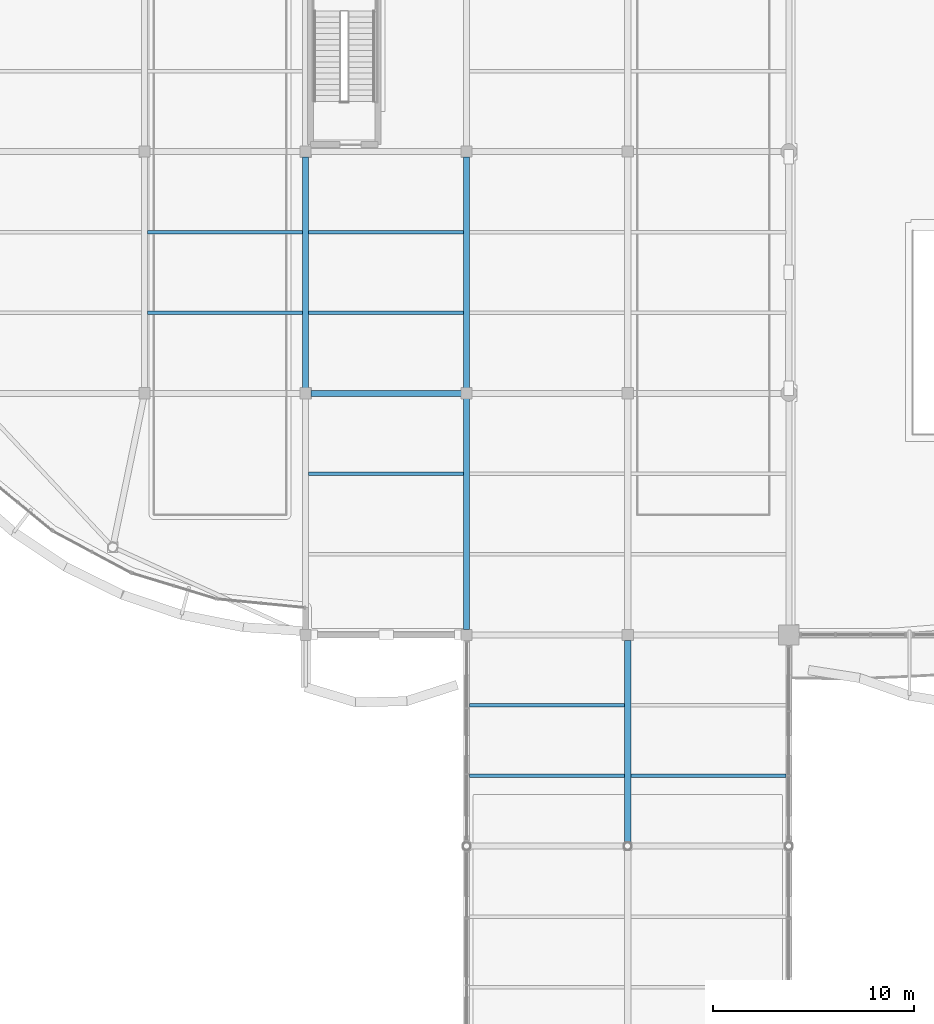
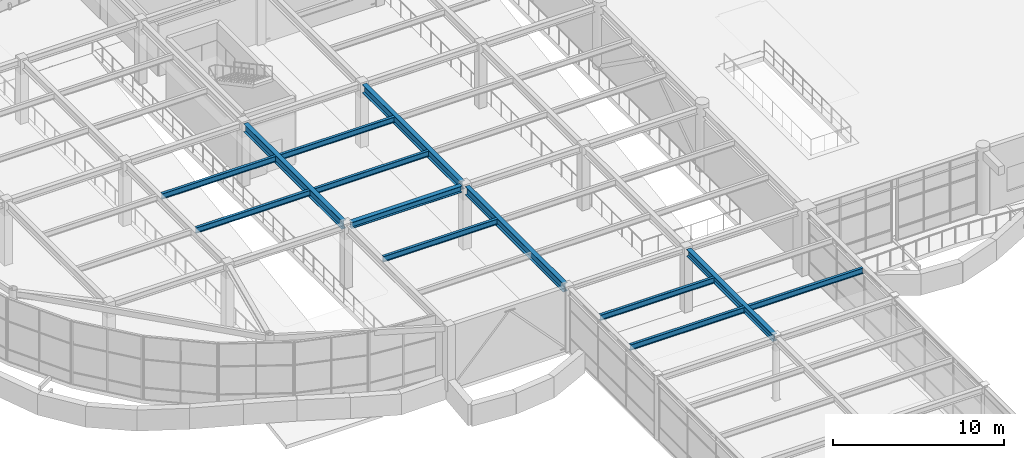
# One storey, part 13 of 72: 13 beams.
"""IFC4 building model written with IfcOpenShell, lengths in metres."""

from ifc_helpers import new_model, si_unit, direction, frame, origin, origin_2d, place, context, subcontext, project, spatial, i_section, extrude, material, material_profile, profile_set, type_object, element, save


model = new_model("IFC4")

# Units and contexts
model_context = context("Model", 3, precision=1e-05, world=origin(), true_north=direction((0.0, 1.0)))
body_context = subcontext(model_context, "Body", "Model", "MODEL_VIEW")
ifc_project = project(units=[si_unit("LENGTHUNIT", "METRE"), si_unit("AREAUNIT", "SQUARE_METRE"), si_unit("VOLUMEUNIT", "CUBIC_METRE"), si_unit("PLANEANGLEUNIT", "RADIAN"), si_unit("MASSUNIT", "GRAM", prefix="KILO")], contexts=[model_context])

# Site, building, storey
site_placement = place(None, origin())
site = spatial("IfcSite", under=ifc_project, at=site_placement, CompositionType="ELEMENT")
building_placement = place(site_placement, origin())
building = spatial("IfcBuilding", under=site, at=building_placement, Name="Keelwater Ferry Terminal", CompositionType="ELEMENT")
storey_placement = place(building_placement, frame((0.0, 0.0, 5.39990234375)))
storey = spatial("IfcBuildingStorey", under=building, at=storey_placement, Name="L01", CompositionType="ELEMENT", Elevation=5.39990234375)

# Beams
ifc_material_1 = material(Name="Steel S355", Category="steel")
ifc_material_profile_1 = material_profile(ifc_material_1, i_section(OverallWidth=0.300048828125, OverallDepth=0.60009765625, WebThickness=0.015380859375, FlangeThickness=0.030029296875, at=origin_2d()), Name="HEB 600")
ifc_profile_set_1 = profile_set([ifc_material_profile_1], Name="Steel S355")
beam_type_1 = type_object("IfcBeamType", Name="G3 HEB 600", PredefinedType="BEAM", material=ifc_profile_set_1)
beam_1_placement = place(storey_placement, frame((24.0, 54.27001953125, 4.22021484375), z_axis=(0.0, 1.0, 0.0), x_axis=(-1.0, 0.0, 0.0)))
element("IfcBeam", 1, at=beam_1_placement, inside=storey, type_object=beam_type_1, Name="Beam BM-L01-0716", PredefinedType="BEAM", context=body_context, shape_type="SweptSolid", body=[
    extrude(i_section(OverallWidth=0.300048828125, OverallDepth=0.60009765625, WebThickness=0.015380859375, FlangeThickness=0.030029296875, at=origin_2d()), origin(), (0.0, 0.0, 1.0), 11.4599609375),
])
ifc_material_2 = material(Name="Steel S355", Category="steel")
ifc_material_profile_2 = material_profile(ifc_material_2, i_section(OverallWidth=0.300048828125, OverallDepth=0.60009765625, WebThickness=0.015380859375, FlangeThickness=0.030029296875, at=origin_2d()), Name="HEB 600")
ifc_profile_set_2 = profile_set([ifc_material_profile_2], Name="Steel S355")
beam_type_2 = type_object("IfcBeamType", Name="G3E HEB 600", PredefinedType="BEAM", material=ifc_profile_set_2)
for number, where, z_axis, x_axis, name in (
    (2, (32.0, 42.27001953125, 4.22021484375), (0.0, 1.0, 0.0), (-1.0, 0.0, 0.0), "Beam BM-L01-0723"),
    (3, (32.0, 54.27001953125, 4.22021484375), (0.0, 1.0, 0.0), (-1.0, 0.0, 0.0), "Beam BM-L01-0724"),
):
    element("IfcBeam", number, at=place(storey_placement, frame(where, z_axis=z_axis, x_axis=x_axis)), inside=storey, type_object=beam_type_2, Name=name, PredefinedType="BEAM", context=body_context, shape_type="SweptSolid", body=[
        extrude(i_section(OverallWidth=0.300048828125, OverallDepth=0.60009765625, WebThickness=0.015380859375, FlangeThickness=0.030029296875, at=origin_2d()), origin(), (0.0, 0.0, 1.0), 11.4599609375),
    ])
ifc_material_3 = material(Name="Steel S355", Category="steel")
ifc_material_profile_3 = material_profile(ifc_material_3, i_section(OverallWidth=0.300048828125, OverallDepth=0.5, WebThickness=0.014404296875, FlangeThickness=0.028076171875, at=origin_2d()), Name="HEB 500")
ifc_profile_set_3 = profile_set([ifc_material_profile_3], Name="Steel S355")
beam_type_3 = type_object("IfcBeamType", Name="G5 HEB 500", PredefinedType="BEAM", material=ifc_profile_set_3)
beam_2_placement = place(storey_placement, frame((40.0, 31.6669921875, 4.27001953125), z_axis=(0.0, 1.0, 0.0), x_axis=(-1.0, 0.0, 0.0)))
element("IfcBeam", 4, at=beam_2_placement, inside=storey, type_object=beam_type_3, Name="Beam BM-L01-0730", PredefinedType="BEAM", context=body_context, shape_type="SweptSolid", body=[
    extrude(i_section(OverallWidth=0.300048828125, OverallDepth=0.5, WebThickness=0.014404296875, FlangeThickness=0.028076171875, at=origin_2d()), origin(), (0.0, 0.0, 1.0), 10.06298828125),
])
ifc_material_4 = material(Name="Steel S355", Category="steel")
ifc_material_profile_4 = material_profile(ifc_material_4, i_section(OverallWidth=0.300048828125, OverallDepth=0.449951171875, WebThickness=0.013916015625, FlangeThickness=0.02587890625, at=origin_2d()), Name="HEB 450")
ifc_profile_set_4 = profile_set([ifc_material_profile_4], Name="Steel S355")
beam_type_4 = type_object("IfcBeamType", Name="G6 HEB 450", PredefinedType="BEAM", material=ifc_profile_set_4)
beam_3_placement = place(storey_placement, frame((24.27001953125, 54.0, 4.295166015625), z_axis=(1.0, 0.0, 0.0), x_axis=(0.0, 1.0, 0.0)))
element("IfcBeam", 5, at=beam_3_placement, inside=storey, type_object=beam_type_4, Name="Beam BM-L01-0637", PredefinedType="BEAM", context=body_context, shape_type="SweptSolid", body=[
    extrude(i_section(OverallWidth=0.300048828125, OverallDepth=0.449951171875, WebThickness=0.013916015625, FlangeThickness=0.02587890625, at=origin_2d()), origin(), (0.0, 0.0, 1.0), 7.4599609375),
])
ifc_material_5 = material(Name="Steel S355", Category="steel")
ifc_material_profile_5 = material_profile(ifc_material_5, i_section(OverallWidth=0.179931640625, OverallDepth=0.39990234375, WebThickness=0.008544921875, FlangeThickness=0.013427734375, at=origin_2d()), Name="IPE 400")
ifc_profile_set_5 = profile_set([ifc_material_profile_5], Name="Steel S355")
beam_type_5 = type_object("IfcBeamType", Name="J5 IPE 400", PredefinedType="JOIST", material=ifc_profile_set_5)
for number, where, z_axis, x_axis, name in (
    (6, (16.14990234375, 58.0, 4.320068359375), (1.0, 0.0, 0.0), (0.0, 1.0, 0.0), "Beam BM-L01-0815"),
    (7, (16.14990234375, 62.0, 4.320068359375), (1.0, 0.0, 0.0), (0.0, 1.0, 0.0), "Beam BM-L01-0816"),
    (8, (24.14990234375, 50.0, 4.320068359375), (1.0, 0.0, 0.0), (0.0, 1.0, 0.0), "Beam BM-L01-0820"),
    (9, (24.14990234375, 58.0, 4.320068359375), (1.0, 0.0, 0.0), (0.0, 1.0, 0.0), "Beam BM-L01-0821"),
    (10, (24.14990234375, 62.0, 4.320068359375), (1.0, 0.0, 0.0), (0.0, 1.0, 0.0), "Beam BM-L01-0822"),
    (11, (32.14990234375, 35.0, 4.320068359375), (1.0, 0.0, 0.0), (0.0, 1.0, 0.0), "Beam BM-L01-0831"),
    (12, (32.14990234375, 38.5, 4.320068359375), (1.0, 0.0, 0.0), (0.0, 1.0, 0.0), "Beam BM-L01-0832"),
    (13, (40.14990234375, 35.0, 4.320068359375), (1.0, 0.0, 0.0), (0.0, 1.0, 0.0), "Beam BM-L01-0843"),
):
    element("IfcBeam", number, at=place(storey_placement, frame(where, z_axis=z_axis, x_axis=x_axis)), inside=storey, type_object=beam_type_5, Name=name, PredefinedType="JOIST", context=body_context, shape_type="SweptSolid", body=[
        extrude(i_section(OverallWidth=0.179931640625, OverallDepth=0.39990234375, WebThickness=0.008544921875, FlangeThickness=0.013427734375, at=origin_2d()), origin(), (0.0, 0.0, 1.0), 7.7001953125),
    ])

save(model, "model.ifc")
